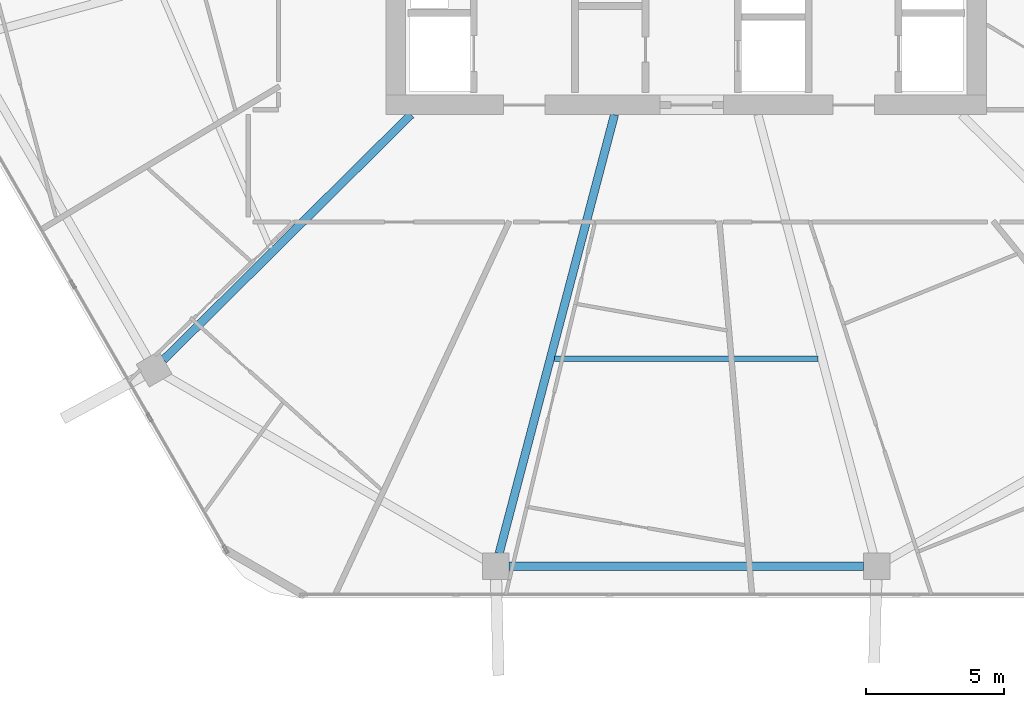
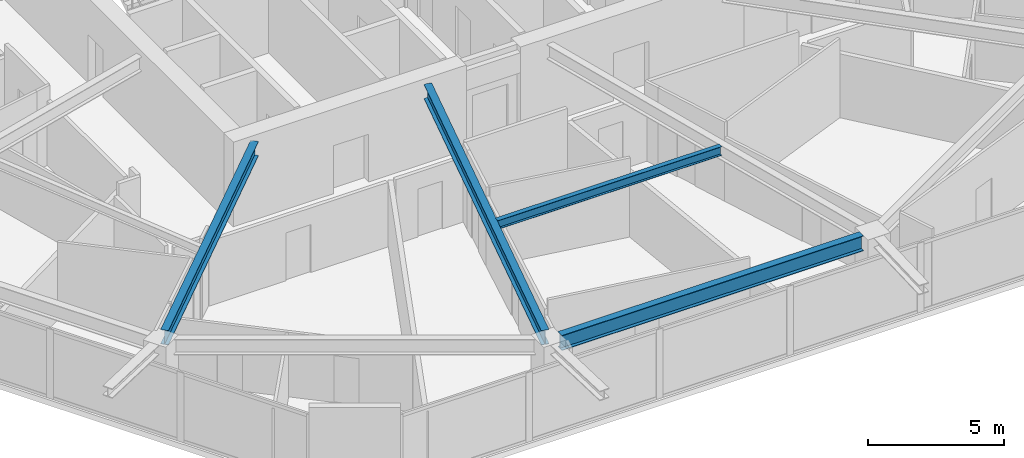
# One storey, part 4 of 26: 4 beams.
"""IFC4 building model written with IfcOpenShell, lengths in metres."""

from ifc_helpers import new_model, si_unit, direction, frame, origin, origin_2d, place, context, subcontext, project, spatial, i_section, extrude, material, material_profile, profile_set, type_object, element, save


model = new_model("IFC4")

# Units and contexts
model_context = context("Model", 3, precision=1e-05, world=origin(), true_north=direction((0.0, 1.0)))
body_context = subcontext(model_context, "Body", "Model", "MODEL_VIEW")
ifc_project = project(units=[si_unit("LENGTHUNIT", "METRE"), si_unit("AREAUNIT", "SQUARE_METRE"), si_unit("VOLUMEUNIT", "CUBIC_METRE"), si_unit("PLANEANGLEUNIT", "RADIAN"), si_unit("MASSUNIT", "GRAM", prefix="KILO")], contexts=[model_context])

# Site, building, storey
site_placement = place(None, origin())
site = spatial("IfcSite", under=ifc_project, at=site_placement, CompositionType="ELEMENT")
building_placement = place(site_placement, origin())
building = spatial("IfcBuilding", under=site, at=building_placement, Name="Zuhravey Tower", CompositionType="ELEMENT")
storey_placement = place(building_placement, frame((0.0, 0.0, 211.199951171875)))
storey = spatial("IfcBuildingStorey", under=building, at=storey_placement, Name="L53", CompositionType="ELEMENT", Elevation=211.199951171875)

# Beams
ifc_material = material(Name="Steel SM355", Category="steel")
ifc_material_profile_1 = material_profile(ifc_material, i_section(OverallWidth=0.300048828125, OverallDepth=0.679931640625, WebThickness=0.012939453125, FlangeThickness=0.02197265625, at=origin_2d()), Name="H-680x300x13x22")
ifc_profile_set_1 = profile_set([ifc_material_profile_1], Name="Steel SM355")
beam_type_1 = type_object("IfcBeamType", Name="Perimeter Ring Beam H680x300", PredefinedType="BEAM", material=ifc_profile_set_1)
beam_1_placement = place(storey_placement, frame((29.595947265625, 5.826904296875, 3.2099609375), z_axis=(1.0, 0.0, 0.0), x_axis=(0.0, 1.0, 0.0)))
element("IfcBeam", 1, at=beam_1_placement, inside=storey, type_object=beam_type_1, Name="L53 PB2 BM-L53-PB-09", PredefinedType="BEAM", context=body_context, shape_type="SweptSolid", body=[
    extrude(i_section(OverallWidth=0.300048828125, OverallDepth=0.679931640625, WebThickness=0.012939453125, FlangeThickness=0.02197265625, at=origin_2d()), origin(), (0.0, 0.0, 1.0), 12.80810546875),
])
ifc_material_profile_2 = material_profile(ifc_material, i_section(OverallWidth=0.300048828125, OverallDepth=0.64990234375, WebThickness=0.012939453125, FlangeThickness=0.02197265625, at=origin_2d()), Name="H-650x300x13x22")
ifc_profile_set_2 = profile_set([ifc_material_profile_2], Name="Steel SM355")
beam_type_2 = type_object("IfcBeamType", Name="Radial Primary Girder H650x300", PredefinedType="BEAM", material=ifc_profile_set_2)
beam_2_placement = place(storey_placement, frame((26.054443359375, 22.14697265625, 3.22509765625), z_axis=(-0.710406645816, -0.703791444663, 0.0), x_axis=(0.703791444663, -0.710406645816, 0.0)))
element("IfcBeam", 2, at=beam_2_placement, inside=storey, type_object=beam_type_2, Name="L53 RG2 BM-L53-RAD-08", PredefinedType="BEAM", context=body_context, shape_type="SweptSolid", body=[
    extrude(i_section(OverallWidth=0.300048828125, OverallDepth=0.64990234375, WebThickness=0.012939453125, FlangeThickness=0.02197265625, at=origin_2d()), origin(), (0.0, 0.0, 1.0), 12.5849609375),
])
beam_3_placement = place(storey_placement, frame((33.4091796875, 22.14697265625, 3.22509765625), z_axis=(-0.254299806285, -0.967125435775, 0.0), x_axis=(0.967125435775, -0.254299806285, 0.0)))
element("IfcBeam", 3, at=beam_3_placement, inside=storey, type_object=beam_type_2, Name="L53 RG2 BM-L53-RAD-09", PredefinedType="BEAM", context=body_context, shape_type="SweptSolid", body=[
    extrude(i_section(OverallWidth=0.300048828125, OverallDepth=0.64990234375, WebThickness=0.012939453125, FlangeThickness=0.02197265625, at=origin_2d()), origin(), (0.0, 0.0, 1.0), 16.396728515625),
])
ifc_material_profile_3 = material_profile(ifc_material, i_section(OverallWidth=0.199951171875, OverallDepth=0.39990234375, WebThickness=0.008056640625, FlangeThickness=0.012939453125, at=origin_2d()), Name="H-400x200x8x13")
ifc_profile_set_3 = profile_set([ifc_material_profile_3], Name="Steel SM355")
beam_type_3 = type_object("IfcBeamType", Name="Secondary Floor Joist H400x200", PredefinedType="JOIST", material=ifc_profile_set_3)
beam_4_placement = place(storey_placement, frame((31.245849609375, 13.334228515625, 3.35009765625), z_axis=(1.0, 0.0, 0.0), x_axis=(0.0, 1.0, 0.0)))
element("IfcBeam", 4, at=beam_4_placement, inside=storey, type_object=beam_type_3, Name="L53 SJ2 BM-L53-SJ-09-1", PredefinedType="JOIST", context=body_context, shape_type="SweptSolid", body=[
    extrude(i_section(OverallWidth=0.199951171875, OverallDepth=0.39990234375, WebThickness=0.008056640625, FlangeThickness=0.012939453125, at=origin_2d()), origin(), (0.0, 0.0, 1.0), 9.50830078125),
])

save(model, "model.ifc")
